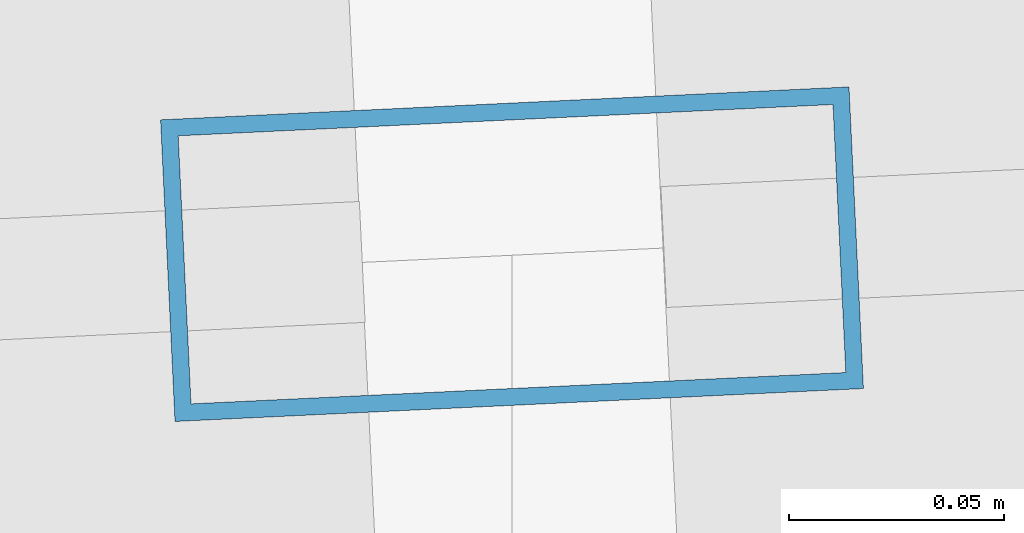
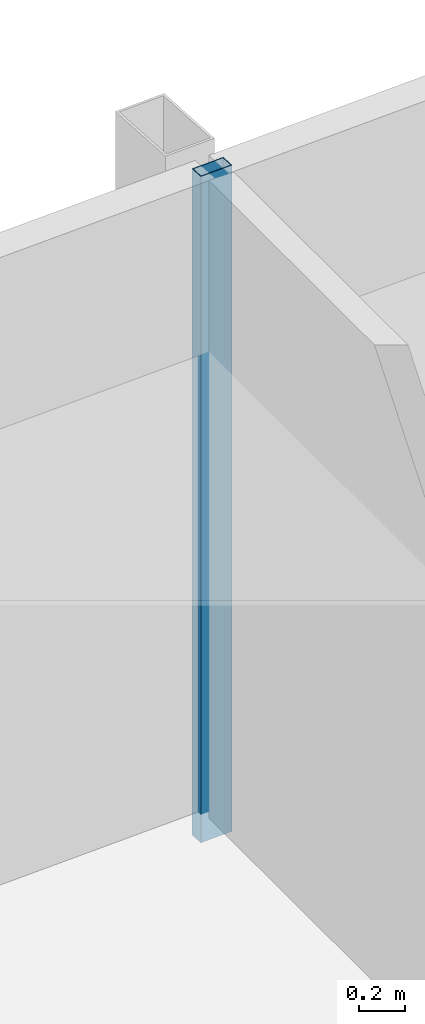
# One storey, part 21 of 38: 1 member, 1 element without a shape of its own.
"""IFC4 building model written with IfcOpenShell, lengths in metres."""

from ifc_helpers import new_model, si_unit, direction, frame, origin, origin_2d, place, context, subcontext, project, spatial, hollow_rectangle, extrude, material, material_profile, profile_set, type_object, element, aggregate, save


model = new_model("IFC4")

# Units and contexts
model_context = context("Model", 3, precision=1e-05, world=origin(), true_north=direction((0.0, 1.0)))
body_context = subcontext(model_context, "Body", "Model", "MODEL_VIEW")
ifc_project = project(units=[si_unit("LENGTHUNIT", "METRE"), si_unit("AREAUNIT", "SQUARE_METRE"), si_unit("VOLUMEUNIT", "CUBIC_METRE"), si_unit("PLANEANGLEUNIT", "RADIAN"), si_unit("MASSUNIT", "GRAM", prefix="KILO")], contexts=[model_context])

# Site, building, storey
site_placement = place(None, origin())
site = spatial("IfcSite", under=ifc_project, at=site_placement, CompositionType="ELEMENT")
building_placement = place(site_placement, origin())
building = spatial("IfcBuilding", under=site, at=building_placement, Name="Rekha Terrace Tower", CompositionType="ELEMENT")
storey_placement = place(building_placement, frame((0.0, 0.0, 195.199951171875)))
storey = spatial("IfcBuildingStorey", under=building, at=storey_placement, Name="L49", CompositionType="ELEMENT", Elevation=195.199951171875)

# Curtain wall, member
ifc_material_1 = material(Name="Aluminium framing", Category="aluminium")
curtain_wall_type = type_object("IfcCurtainWallType", Name="CW3 north unitised glazing", PredefinedType="USERDEFINED", material=ifc_material_1)
curtain_wall_placement = place(storey_placement, origin())
curtain_wall = element("IfcCurtainWall", 1, at=curtain_wall_placement, inside=storey, type_object=curtain_wall_type, Name="CW3 unitised curtain wall", ObjectType="UNITISED CURTAIN WALL", PredefinedType="USERDEFINED")
ifc_material_2 = material(Name="Aluminium mullion section", Category="aluminium")
ifc_material_profile = material_profile(ifc_material_2, hollow_rectangle(XDim=0.070068359375, YDim=0.159912109375, WallThickness=0.00390625, at=origin_2d()), Name="AL RHS 70x160")
ifc_profile_set = profile_set([ifc_material_profile], Name="Aluminium mullion section")
member_type = type_object("IfcMemberType", Name="CW3 mullion RHS 70 x 160", PredefinedType="MULLION", material=ifc_profile_set)
member_placement = place(storey_placement, frame((38.570068359375, 61.771240234375, 0.0), z_axis=(0.0, 0.0, 1.0), x_axis=(0.047758616983, -0.998858906204, 0.0)))
member = element("IfcMember", 2, at=member_placement, type_object=member_type, Name="CW3 mullion 2", PredefinedType="MULLION", context=body_context, shape_type="SweptSolid", body=[
    extrude(hollow_rectangle(XDim=0.070068359375, YDim=0.159912109375, WallThickness=0.00390625, at=origin_2d()), origin(), (0.0, 0.0, 1.0), 3.5),
])
aggregate(curtain_wall, [member])

save(model, "model.ifc")
